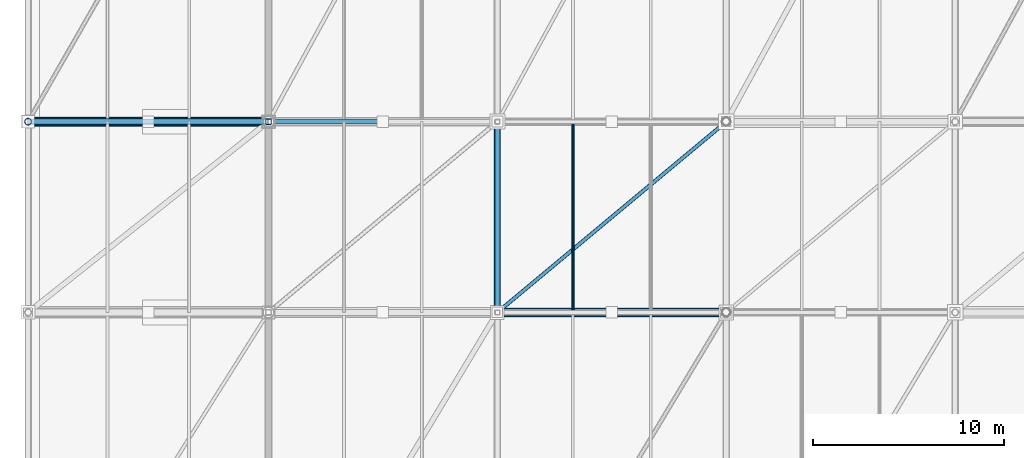
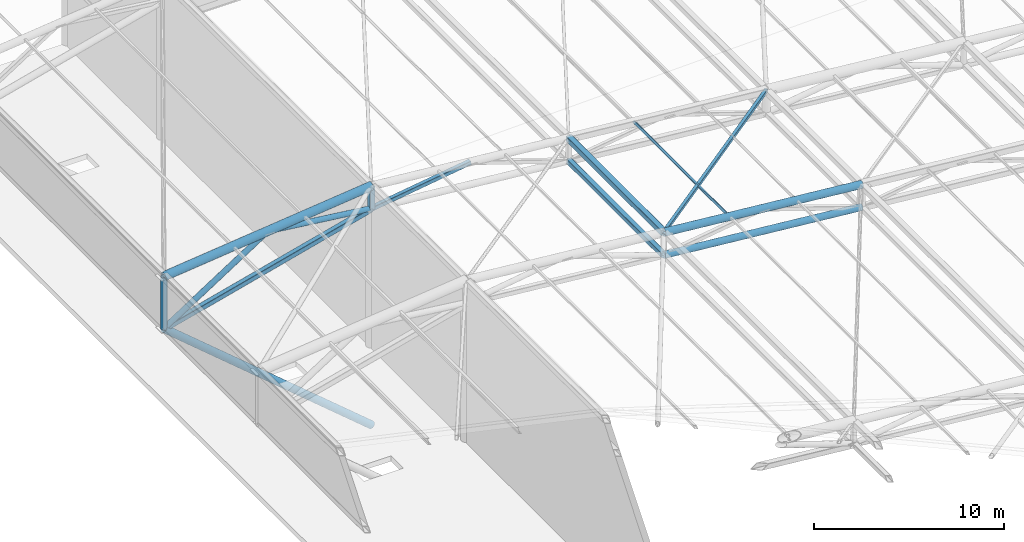
# One storey, part 25 of 44: 14 members.
"""IFC4 building model written with IfcOpenShell, lengths in metres."""

from ifc_helpers import new_model, si_unit, direction, frame, origin, origin_2d, place, context, subcontext, project, spatial, hollow_rectangle, hollow_circle, extrude, material, material_profile, profile_set, type_object, element, save


model = new_model("IFC4")

# Units and contexts
model_context = context("Model", 3, precision=1e-05, world=origin(), true_north=direction((0.0, 1.0)))
body_context = subcontext(model_context, "Body", "Model", "MODEL_VIEW")
ifc_project = project(units=[si_unit("LENGTHUNIT", "METRE"), si_unit("AREAUNIT", "SQUARE_METRE"), si_unit("VOLUMEUNIT", "CUBIC_METRE"), si_unit("PLANEANGLEUNIT", "RADIAN"), si_unit("MASSUNIT", "GRAM", prefix="KILO")], contexts=[model_context])

# Site, building, storey
site_placement = place(None, origin())
site = spatial("IfcSite", under=ifc_project, at=site_placement, CompositionType="ELEMENT")
building_placement = place(site_placement, origin())
building = spatial("IfcBuilding", under=site, at=building_placement, Name="Brinegate Civic Arena", CompositionType="ELEMENT")
storey_placement = place(building_placement, frame((0.0, 0.0, 29.39990234375)))
storey = spatial("IfcBuildingStorey", under=building, at=storey_placement, Name="RF", CompositionType="ELEMENT", Elevation=29.39990234375)

# Members
ifc_material = material(Name="Steel S355", Category="steel")
ifc_material_profile_1 = material_profile(ifc_material, hollow_circle(Radius=0.083984375, WallThickness=0.008056640625, at=origin_2d()), Name="CHS168X8")
ifc_profile_set_1 = profile_set([ifc_material_profile_1], Name="Steel S355")
member_type_1 = type_object("IfcMemberType", Name="RF-PURLIN-CHS168", PredefinedType="PURLIN", material=ifc_profile_set_1)
member_1_placement = place(storey_placement, frame((75.9599609375, 72.0, 9.085205078125), z_axis=(0.0, 1.0, 0.0), x_axis=(-1.0, 0.0, 0.0)))
element("IfcMember", 1, at=member_1_placement, inside=storey, type_object=member_type_1, Name="Roof Purlin RFP-077", PredefinedType="PURLIN", context=body_context, shape_type="SweptSolid", body=[
    extrude(hollow_circle(Radius=0.083984375, WallThickness=0.008056640625, at=origin_2d()), origin(), (0.0, 0.0, 1.0), 10.0),
])
ifc_material_profile_2 = material_profile(ifc_material, hollow_circle(Radius=0.162109375, WallThickness=0.011962890625, at=origin_2d()), Name="CHS324X12")
ifc_profile_set_2 = profile_set([ifc_material_profile_2], Name="Steel S355")
member_type_2 = type_object("IfcMemberType", Name="SF-BRACE-CHS324", PredefinedType="BRACE", material=ifc_profile_set_2)
member_2_placement = place(storey_placement, frame((47.39990234375, 82.0, 5.800048828125), z_axis=(0.841177416252, 0.0, 0.540759238837), x_axis=(0.0, 1.0, 0.0)))
element("IfcMember", 2, at=member_2_placement, inside=storey, type_object=member_type_2, Name="Space Frame Web Brace D1-6-1", PredefinedType="BRACE", context=body_context, shape_type="SweptSolid", body=[
    extrude(hollow_circle(Radius=0.162109375, WallThickness=0.011962890625, at=origin_2d()), origin(), (0.0, 0.0, 1.0), 7.489501953125),
])
member_3_placement = place(storey_placement, frame((53.699951171875, 82.0, 9.85009765625), z_axis=(0.992988381742, 0.0, -0.118211986387), x_axis=(0.0, 1.0, 0.0)))
element("IfcMember", 3, at=member_3_placement, inside=storey, type_object=member_type_2, Name="Space Frame Web Brace D2-6-1", PredefinedType="BRACE", context=body_context, shape_type="SweptSolid", body=[
    extrude(hollow_circle(Radius=0.162109375, WallThickness=0.011962890625, at=origin_2d()), origin(), (0.0, 0.0, 1.0), 6.344482421875),
])
ifc_material_profile_3 = material_profile(ifc_material, hollow_rectangle(XDim=0.199951171875, YDim=0.199951171875, WallThickness=0.010009765625, InnerFilletRadius=0.010009765625, OuterFilletRadius=0.02001953125, at=origin_2d()), Name="SHS200X10")
ifc_profile_set_3 = profile_set([ifc_material_profile_3], Name="Steel S355")
member_type_3 = type_object("IfcMemberType", Name="SF-BRACE-SHS200", PredefinedType="BRACE", material=ifc_profile_set_3)
member_4_placement = place(storey_placement, frame((72.0, 72.0, 9.425048828125), z_axis=(0.766236619907, 0.638530516589, -0.071834683116), x_axis=(-0.640184399664, 0.768221279597, 0.0)))
element("IfcMember", 4, at=member_4_placement, inside=storey, type_object=member_type_3, Name="Roof Plan Diagonal Brace PL-5-3", PredefinedType="BRACE", context=body_context, shape_type="SweptSolid", body=[
    extrude(hollow_rectangle(XDim=0.199951171875, YDim=0.199951171875, WallThickness=0.010009765625, InnerFilletRadius=0.010009765625, OuterFilletRadius=0.02001953125, at=origin_2d()), origin(), (0.0, 0.0, 1.0), 15.660888671875),
])
ifc_material_profile_4 = material_profile(ifc_material, hollow_rectangle(XDim=0.25, YDim=0.25, WallThickness=0.011962890625, InnerFilletRadius=0.011962890625, OuterFilletRadius=0.02392578125, at=origin_2d()), Name="SHS250X12")
ifc_profile_set_4 = profile_set([ifc_material_profile_4], Name="Steel S355")
member_type_4 = type_object("IfcMemberType", Name="SF-BRACE-SHS250", PredefinedType="BRACE", material=ifc_profile_set_4)
member_5_placement = place(storey_placement, frame((60.0, 82.0, 9.10009765625), z_axis=(0.989226142737, 0.0, 0.1463954867), x_axis=(0.0, 1.0, 0.0)))
element("IfcMember", 5, at=member_5_placement, inside=storey, type_object=member_type_4, Name="Space Frame Web Brace D1-6-2", PredefinedType="BRACE", context=body_context, shape_type="SweptSolid", body=[
    extrude(hollow_rectangle(XDim=0.25, YDim=0.25, WallThickness=0.011962890625, InnerFilletRadius=0.011962890625, OuterFilletRadius=0.02392578125, at=origin_2d()), origin(), (0.0, 0.0, 1.0), 6.0654296875),
])
ifc_material_profile_5 = material_profile(ifc_material, hollow_circle(Radius=0.202880859375, WallThickness=0.01611328125, at=origin_2d()), Name="CHS406X16")
ifc_profile_set_5 = profile_set([ifc_material_profile_5], Name="Steel S355")
member_type_5 = type_object("IfcMemberType", Name="SF-CHORD-CHS406", PredefinedType="CHORD", material=ifc_profile_set_5)
member_6_placement = place(storey_placement, frame((72.0, 72.0, 7.97509765625), z_axis=(0.995634226059, 0.0, -0.093340708693), x_axis=(0.0, 1.0, 0.0)))
element("IfcMember", 6, at=member_6_placement, inside=storey, type_object=member_type_5, Name="Space Frame Bottom Chord BX-5-3", PredefinedType="CHORD", context=body_context, shape_type="SweptSolid", body=[
    extrude(hollow_circle(Radius=0.202880859375, WallThickness=0.01611328125, at=origin_2d()), origin(), (0.0, 0.0, 1.0), 12.052734375),
])
ifc_material_profile_6 = material_profile(ifc_material, hollow_circle(Radius=0.228515625, WallThickness=0.01611328125, at=origin_2d()), Name="CHS457X16")
ifc_profile_set_6 = profile_set([ifc_material_profile_6], Name="Steel S355")
member_type_6 = type_object("IfcMemberType", Name="SF-CHORD-CHS457", PredefinedType="CHORD", material=ifc_profile_set_6)
member_7_placement = place(storey_placement, frame((72.0, 72.0, 9.425048828125), z_axis=(0.995634226059, 0.0, -0.093340708693), x_axis=(0.0, 1.0, 0.0)))
element("IfcMember", 7, at=member_7_placement, inside=storey, type_object=member_type_6, Name="Space Frame Top Chord TX-5-3", PredefinedType="CHORD", context=body_context, shape_type="SweptSolid", body=[
    extrude(hollow_circle(Radius=0.228515625, WallThickness=0.01611328125, at=origin_2d()), origin(), (0.0, 0.0, 1.0), 12.052734375),
])
ifc_material_profile_7 = material_profile(ifc_material, hollow_circle(Radius=0.25390625, WallThickness=0.02001953125, at=origin_2d()), Name="CHS508X20")
ifc_profile_set_7 = profile_set([ifc_material_profile_7], Name="Steel S355")
member_type_7 = type_object("IfcMemberType", Name="SF-CHORD-CHS508", PredefinedType="CHORD", material=ifc_profile_set_7)
member_8_placement = place(storey_placement, frame((47.39990234375, 82.0, 9.150146484375), z_axis=(0.993884674033, 0.0, 0.110423071515), x_axis=(0.0, 1.0, 0.0)))
element("IfcMember", 8, at=member_8_placement, inside=storey, type_object=member_type_7, Name="Space Frame Top Chord TX-6-1", PredefinedType="CHORD", context=body_context, shape_type="SweptSolid", body=[
    extrude(hollow_circle(Radius=0.25390625, WallThickness=0.02001953125, at=origin_2d()), origin(), (0.0, 0.0, 1.0), 12.677734375),
])
ifc_material_profile_8 = material_profile(ifc_material, hollow_rectangle(XDim=0.300048828125, YDim=0.300048828125, WallThickness=0.01611328125, InnerFilletRadius=0.01611328125, OuterFilletRadius=0.031982421875, at=origin_2d()), Name="SHS300X16")
ifc_profile_set_8 = profile_set([ifc_material_profile_8], Name="Steel S355")
member_type_8 = type_object("IfcMemberType", Name="SF-CHORD-SHS300", PredefinedType="CHORD", material=ifc_profile_set_8)
member_9_placement = place(storey_placement, frame((47.39990234375, 82.0, 5.800048828125), z_axis=(0.967371785856, 0.0, 0.25336106238), x_axis=(0.0, 1.0, 0.0)))
element("IfcMember", 9, at=member_9_placement, inside=storey, type_object=member_type_8, Name="Space Frame Bottom Chord BX-6-1", PredefinedType="CHORD", context=body_context, shape_type="SweptSolid", body=[
    extrude(hollow_rectangle(XDim=0.300048828125, YDim=0.300048828125, WallThickness=0.01611328125, InnerFilletRadius=0.01611328125, OuterFilletRadius=0.031982421875, at=origin_2d()), origin(), (0.0, 0.0, 1.0), 13.025146484375),
])
member_10_placement = place(storey_placement, frame((72.0, 72.0, 7.97509765625), z_axis=(0.0, 1.0, 0.0), x_axis=(-1.0, 0.0, 0.0)))
element("IfcMember", 10, at=member_10_placement, inside=storey, type_object=member_type_8, Name="Space Frame Cross Bottom Chord BY-5-3", PredefinedType="CHORD", context=body_context, shape_type="SweptSolid", body=[
    extrude(hollow_rectangle(XDim=0.300048828125, YDim=0.300048828125, WallThickness=0.01611328125, InnerFilletRadius=0.01611328125, OuterFilletRadius=0.031982421875, at=origin_2d()), origin(), (0.0, 0.0, 1.0), 10.0),
])
ifc_material_profile_9 = material_profile(ifc_material, hollow_rectangle(XDim=0.35009765625, YDim=0.35009765625, WallThickness=0.01611328125, InnerFilletRadius=0.01611328125, OuterFilletRadius=0.031982421875, at=origin_2d()), Name="SHS350X16")
ifc_profile_set_9 = profile_set([ifc_material_profile_9], Name="Steel S355")
member_type_9 = type_object("IfcMemberType", Name="SF-CHORD-SHS350", PredefinedType="CHORD", material=ifc_profile_set_9)
member_11_placement = place(storey_placement, frame((72.0, 72.0, 9.425048828125), z_axis=(0.0, 1.0, 0.0), x_axis=(-1.0, 0.0, 0.0)))
element("IfcMember", 11, at=member_11_placement, inside=storey, type_object=member_type_9, Name="Space Frame Cross Top Chord TY-5-3", PredefinedType="CHORD", context=body_context, shape_type="SweptSolid", body=[
    extrude(hollow_rectangle(XDim=0.35009765625, YDim=0.35009765625, WallThickness=0.01611328125, InnerFilletRadius=0.01611328125, OuterFilletRadius=0.031982421875, at=origin_2d()), origin(), (0.0, 0.0, 1.0), 10.0),
])
ifc_material_profile_10 = material_profile(ifc_material, hollow_circle(Radius=0.177978515625, WallThickness=0.013916015625, at=origin_2d()), Name="CHS356X14")
ifc_profile_set_10 = profile_set([ifc_material_profile_10], Name="Steel S355")
member_type_10 = type_object("IfcMemberType", Name="SF-STRUT-CHS356", PredefinedType="STRUT", material=ifc_profile_set_10)
member_12_placement = place(storey_placement, frame((47.39990234375, 82.0, 5.800048828125), z_axis=(0.0, 0.0, 1.0), x_axis=(1.0, 0.0, 0.0)))
element("IfcMember", 12, at=member_12_placement, inside=storey, type_object=member_type_10, Name="Space Frame Vertical Post V-6-1", PredefinedType="STRUT", context=body_context, shape_type="SweptSolid", body=[
    extrude(hollow_circle(Radius=0.177978515625, WallThickness=0.013916015625, at=origin_2d()), origin(), (0.0, 0.0, 1.0), 3.35009765625),
])
ifc_material_profile_11 = material_profile(ifc_material, hollow_circle(Radius=0.228515625, WallThickness=0.01611328125, at=origin_2d()), Name="CHS457X16")
ifc_profile_set_11 = profile_set([ifc_material_profile_11], Name="Steel S355")
member_type_11 = type_object("IfcMemberType", Name="SF-STRUT-CHS457", PredefinedType="STRUT", material=ifc_profile_set_11)
member_13_placement = place(storey_placement, frame((60.0, 82.0, -4.7998046875), z_axis=(-0.765232927861, 0.0, 0.643753497945), x_axis=(0.0, -1.0, 0.0)))
element("IfcMember", 13, at=member_13_placement, inside=storey, type_object=member_type_11, Name="Cantilever Back-Prop Strut SFS-CANT-06", PredefinedType="STRUT", context=body_context, shape_type="SweptSolid", body=[
    extrude(hollow_circle(Radius=0.228515625, WallThickness=0.01611328125, at=origin_2d()), origin(), (0.0, 0.0, 1.0), 16.4658203125),
])
ifc_material_profile_12 = material_profile(ifc_material, hollow_rectangle(XDim=0.300048828125, YDim=0.300048828125, WallThickness=0.01611328125, InnerFilletRadius=0.01611328125, OuterFilletRadius=0.031982421875, at=origin_2d()), Name="SHS300X16")
ifc_profile_set_12 = profile_set([ifc_material_profile_12], Name="Steel S355")
member_type_12 = type_object("IfcMemberType", Name="SF-STRUT-SHS300", PredefinedType="STRUT", material=ifc_profile_set_12)
member_14_placement = place(storey_placement, frame((60.0, 82.0, 9.10009765625), z_axis=(0.0, 0.0, 1.0), x_axis=(1.0, 0.0, 0.0)))
element("IfcMember", 14, at=member_14_placement, inside=storey, type_object=member_type_12, Name="Space Frame Vertical Post V-6-2", PredefinedType="STRUT", context=body_context, shape_type="SweptSolid", body=[
    extrude(hollow_rectangle(XDim=0.300048828125, YDim=0.300048828125, WallThickness=0.01611328125, InnerFilletRadius=0.01611328125, OuterFilletRadius=0.031982421875, at=origin_2d()), origin(), (0.0, 0.0, 1.0), 1.449951171875),
])

save(model, "model.ifc")
